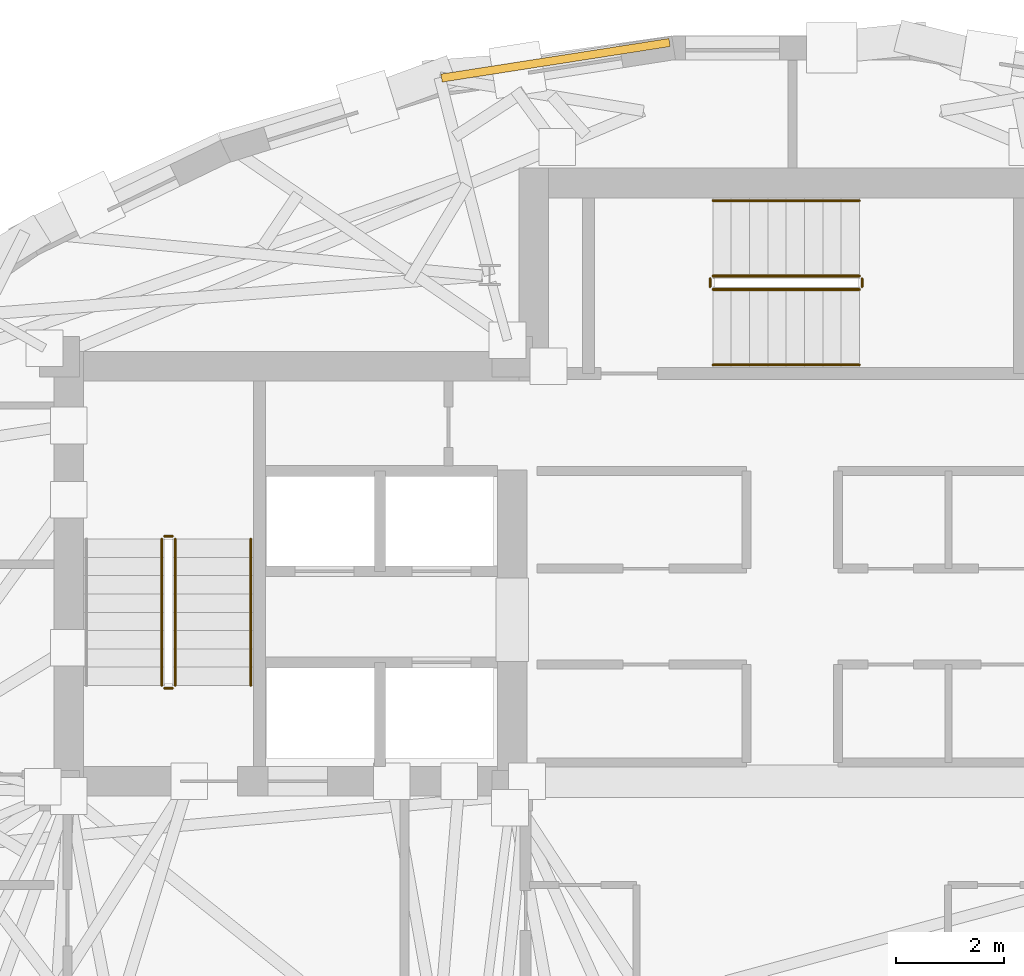
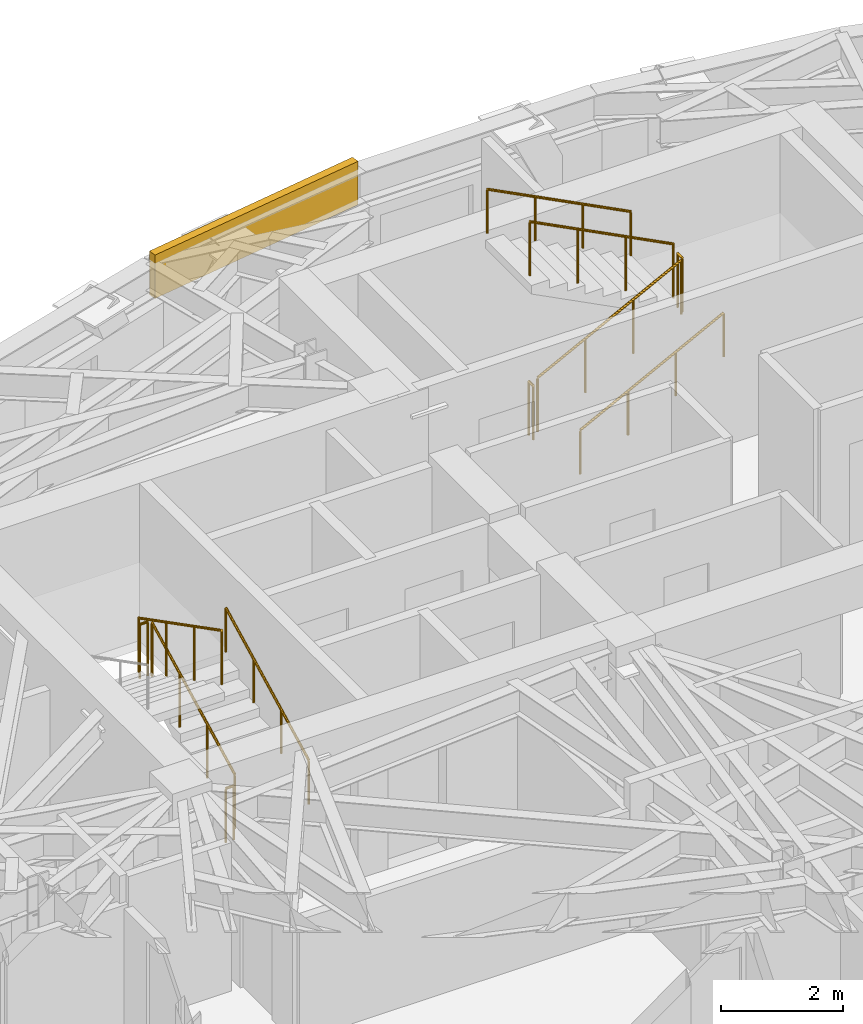
# One storey, part 13 of 14: 11 railings, 1 covering.
"""IFC4 building model written with IfcOpenShell, lengths in metres."""

import ifcopenshell
import ifcopenshell.guid

model = None  # the IFC model being written
_history = None  # IfcOwnerHistory: only IFC2X3 demands one
_inside = {}  # id of a spatial element -> (the spatial element, [elements in it])
_under = {}  # id of a project, library or spatial element -> (it, [spatial elements below it])
_declared = {}  # id of a project -> (the project, [libraries it declares])
_typed = {}  # id of a type object -> (the type object, [elements of that type])
_made_of = {}  # id of a material, layer set ... -> (it, [elements and type objects made of it])


def new_model(schema):
    """Start an empty IFC model of exactly this schema.

    Asked for "IFC4X3", IfcOpenShell would pick the latest addendum, in which some entities
    have other attributes; the version numbers below select the first issue.
    IFC2X3 requires an IfcOwnerHistory on every rooted entity: one is made here for all.
    """
    global model, _history
    if schema == "IFC4X3":
        model = ifcopenshell.file(schema_version=(4, 3, 0, 0))
    else:
        model = ifcopenshell.file(schema=schema)
    _inside.clear()
    _under.clear()
    _declared.clear()
    _typed.clear()
    _made_of.clear()
    _history = None
    if model.schema == "IFC2X3":
        org = make("IfcOrganization", Name="unknown")
        user = make(
            "IfcPersonAndOrganization",
            ThePerson=make("IfcPerson", FamilyName="unknown"),
            TheOrganization=org,
        )
        app = make(
            "IfcApplication",
            ApplicationDeveloper=org,
            Version="unknown",
            ApplicationFullName="unknown",
            ApplicationIdentifier="unknown",
        )
        _history = make(
            "IfcOwnerHistory",
            OwningUser=user,
            OwningApplication=app,
            ChangeAction="ADDED",
            CreationDate=0,
        )
    return model


def make(cls, **values):
    """One entity of the class cls with the attributes given. An attribute that is None is left unset."""
    return model.create_entity(
        cls, **{name: value for name, value in values.items() if value is not None}
    )


def rooted(cls, **values):
    """An entity with a GlobalId (a new one), such as an element, a storey or a relation."""
    return make(cls, GlobalId=ifcopenshell.guid.new(), OwnerHistory=_history, **values)


def si_unit(unit_type, name, prefix=None):
    """IfcSIUnit, for example si_unit("LENGTHUNIT", "METRE", prefix="MILLI")."""
    return make("IfcSIUnit", UnitType=unit_type, Prefix=prefix, Name=name)


def assignment(units):
    """IfcUnitAssignment: the units of a project."""
    return None if units is None else make("IfcUnitAssignment", Units=units)


def point(xyz):
    """IfcCartesianPoint."""
    return None if xyz is None else make("IfcCartesianPoint", Coordinates=xyz)


def direction(xyz):
    """IfcDirection."""
    return None if xyz is None else make("IfcDirection", DirectionRatios=xyz)


def frame(location, z_axis=None, x_axis=None):
    """IfcAxis2Placement3D, a coordinate frame: its origin and axes. An axis left out is left unset."""
    return make(
        "IfcAxis2Placement3D",
        Location=point(location),
        Axis=direction(z_axis),
        RefDirection=direction(x_axis),
    )


def frame_2d(location, x_axis=None):
    """IfcAxis2Placement2D, a coordinate frame in the plane: its origin and x axis."""
    return make(
        "IfcAxis2Placement2D", Location=point(location), RefDirection=direction(x_axis)
    )


def origin():
    """The frame at (0, 0, 0) with its axes left unset."""
    return frame((0.0, 0.0, 0.0))


def origin_2d():
    """The frame at (0, 0) in the plane with its x axis left unset."""
    return frame_2d((0.0, 0.0))


def place(relative_to, where):
    """IfcLocalPlacement: puts the frame where relative to a parent placement (None: the world)."""
    return make(
        "IfcLocalPlacement", PlacementRelTo=relative_to, RelativePlacement=where
    )


def context(
    kind, dimensions, precision=None, world=None, true_north=None, identifier=None
):
    """IfcGeometricRepresentationContext, for example the 3D "Model" context."""
    return make(
        "IfcGeometricRepresentationContext",
        ContextIdentifier=identifier,
        ContextType=kind,
        CoordinateSpaceDimension=dimensions,
        Precision=precision,
        WorldCoordinateSystem=world,
        TrueNorth=true_north,
    )


def subcontext(parent, identifier, kind, view, scale=None):
    """IfcGeometricRepresentationSubContext, for example "Body" below "Model"."""
    return make(
        "IfcGeometricRepresentationSubContext",
        ContextIdentifier=identifier,
        ContextType=kind,
        ParentContext=parent,
        TargetScale=scale,
        TargetView=view,
    )


def project(units=None, contexts=None):
    """IfcProject with its units and contexts."""
    return rooted(
        "IfcProject",
        Name="project",
        RepresentationContexts=contexts,
        UnitsInContext=assignment(units),
    )


def spatial(cls, under=None, at=None, **own):
    """A site, building, storey or space (cls), placed at a placement, below another one or the project."""
    s = rooted(cls, ObjectPlacement=at, **own)
    if under is not None:
        _under.setdefault(under.id(), (under, []))[1].append(s)
    return s


def profile(cls, at=None, kind="AREA", **sizes):
    """A parametric profile (cls). Its sizes go by their IFC names, for example OverallWidth=200.0."""
    return make(cls, ProfileType=kind, Position=at, **sizes)


def rectangle(**sizes):
    """IfcRectangleProfileDef."""
    return profile("IfcRectangleProfileDef", **sizes)


def circle(**sizes):
    """IfcCircleProfileDef."""
    return profile("IfcCircleProfileDef", **sizes)


def extrude(swept, where, along, depth):
    """IfcExtrudedAreaSolid: the profile swept, set in the frame where, extruded along a direction by depth."""
    return make(
        "IfcExtrudedAreaSolid",
        SweptArea=swept,
        Position=where,
        ExtrudedDirection=direction(along),
        Depth=depth,
    )


def shape(context_of_items, identifier, shape_type, items):
    """IfcShapeRepresentation: the items that make up one representation, for example the "Body"."""
    return make(
        "IfcShapeRepresentation",
        ContextOfItems=context_of_items,
        RepresentationIdentifier=identifier,
        RepresentationType=shape_type,
        Items=items,
    )


def material(Name=None, Category=None):
    """IfcMaterial."""
    return make("IfcMaterial", Name=Name, Category=Category)


def layer(
    of_material, thickness, ventilated=None, Name=None, Category=None, Priority=None
):
    """IfcMaterialLayer: one layer of a wall or slab, of a material (None: an air gap)."""
    return make(
        "IfcMaterialLayer",
        Material=of_material,
        LayerThickness=thickness,
        IsVentilated=ventilated,
        Name=Name,
        Category=Category,
        Priority=Priority,
    )


def layer_set(layers, Name=None):
    """IfcMaterialLayerSet."""
    return make("IfcMaterialLayerSet", MaterialLayers=layers, LayerSetName=Name)


def made_of(thing, what):
    """Note that an element or type object is made of a material, layer set ...; save() writes the relation."""
    if what is not None:
        _made_of.setdefault(what.id(), (what, []))[1].append(thing)
    return thing


def type_object(cls, material=None, **own):
    """A type object (cls), such as IfcWallType, which elements share."""
    return made_of(rooted(cls, **own), material)


def element(
    cls,
    number,
    at=None,
    inside=None,
    cuts=None,
    type_object=None,
    material=None,
    context=None,
    identifier="Body",
    shape_type=None,
    held_by="IfcProductDefinitionShape",
    body=None,
    shapes=None,
    **own,
):
    """One element of the class cls, such as IfcWall. Its Tag is "e" and its number.

    at: its placement. inside: the storey or other place that contains it. cuts: it is an
    opening in that element (IfcRelVoidsElement). A single representation is given by context,
    identifier, shape_type and body (its items); several are given by shapes. held_by: the class
    of the entity that holds the representations. save() writes the other relations.
    """
    e = rooted(cls, Tag="e%d" % number, ObjectPlacement=at, **own)
    if body is not None:
        shapes = [shape(context, identifier, shape_type, body)]
    if shapes is not None:
        e.Representation = make(held_by, Representations=shapes)
    if inside is not None:
        _inside.setdefault(inside.id(), (inside, []))[1].append(e)
    if cuts is not None:
        rooted(
            "IfcRelVoidsElement", RelatingBuildingElement=cuts, RelatedOpeningElement=e
        )
    if type_object is not None:
        _typed.setdefault(type_object.id(), (type_object, []))[1].append(e)
    return made_of(e, material)


def aggregate(whole, parts):
    """IfcRelAggregates: a whole, such as a stair, and the parts it consists of."""
    return rooted("IfcRelAggregates", RelatingObject=whole, RelatedObjects=parts)


def save(model, path):
    """Write the relations noted so far, then the file.

    IfcRelAggregates (storeys below a building ...), IfcRelContainedInSpatialStructure (elements
    in a storey), IfcRelDefinesByType, IfcRelAssociatesMaterial and IfcRelDeclares: one each for
    every whole, place, type object, material and project.
    """
    for whole, parts in _under.values():
        aggregate(whole, parts)
    for where, things in _inside.values():
        rooted(
            "IfcRelContainedInSpatialStructure",
            RelatedElements=things,
            RelatingStructure=where,
        )
    for kind, things in _typed.values():
        rooted("IfcRelDefinesByType", RelatedObjects=things, RelatingType=kind)
    for what, things in _made_of.values():
        rooted("IfcRelAssociatesMaterial", RelatedObjects=things, RelatingMaterial=what)
    for by, libraries in _declared.values():
        rooted("IfcRelDeclares", RelatingContext=by, RelatedDefinitions=libraries)
    model.write(path)


model = new_model("IFC4")

# Units and contexts
model_context = context("Model", 3, precision=1e-05, world=origin(), true_north=direction((0.0, 1.0)))
body_context = subcontext(model_context, "Body", "Model", "MODEL_VIEW")
ifc_project = project(units=[si_unit("LENGTHUNIT", "METRE"), si_unit("AREAUNIT", "SQUARE_METRE"), si_unit("VOLUMEUNIT", "CUBIC_METRE"), si_unit("PLANEANGLEUNIT", "RADIAN"), si_unit("MASSUNIT", "GRAM", prefix="KILO")], contexts=[model_context])

# Site, building, storey
site_placement = place(None, origin())
site = spatial("IfcSite", under=ifc_project, at=site_placement, CompositionType="ELEMENT")
building_placement = place(site_placement, origin())
building = spatial("IfcBuilding", under=site, at=building_placement, Name="Keldmark Tower", CompositionType="ELEMENT")
storey_placement = place(building_placement, frame((0.0, 0.0, 225.75)))
storey = spatial("IfcBuildingStorey", under=building, at=storey_placement, Name="L63", CompositionType="ELEMENT", Elevation=225.75)

# Covering
ifc_material_1 = material(Name="Honed Kasota Buff Dolomitic Limestone", Category="masonry")
ifc_layer = layer(ifc_material_1, 0.074951171875)
ifc_layer_set = layer_set([ifc_layer], Name="Honed Kasota Buff Dolomitic Limestone")
covering_type = type_object("IfcCoveringType", Name="Kasota Buff Limestone Spandrel Cladding Band", PredefinedType="CLADDING", material=ifc_layer_set)
covering_placement = place(storey_placement, frame((-4.39404296875, 14.95263671875, 2.260009765625), z_axis=(0.0, 0.0, 1.0), x_axis=(-0.988040736507, -0.15419307054, 0.0)))
element("IfcCovering", 1, at=covering_placement, inside=storey, type_object=covering_type, Name="L63 Kasota Limestone Spandrel Band 09", PredefinedType="CLADDING", context=body_context, shape_type="SweptSolid", body=[
    extrude(rectangle(XDim=4.281005859375, YDim=0.14990234375, at=origin_2d()), origin(), (0.0, 0.0, 1.0), 0.8701171875),
])

# Railings
ifc_material_2 = material(Name="Painted Steel ASTM A500 Grade B", Category="steel")
railing_type_1 = type_object("IfcRailingType", Name="Painted Steel Stair Well Guard 1100 mm", PredefinedType="GUARDRAIL", material=ifc_material_2)
railing_1_placement = place(storey_placement, frame((-11.449951171875, 3.35009765625, 0.175048828125)))
element("IfcRailing", 2, at=railing_1_placement, inside=storey, type_object=railing_type_1, Name="L63 ST1 stair guard 1", PredefinedType="GUARDRAIL", context=body_context, shape_type="SweptSolid", body=[
    extrude(circle(Radius=0.02392578125, at=origin_2d()), frame((0.0, 0.0, 1.076171875), z_axis=(0.0, 0.889146794209, 0.457622091194), x_axis=(-1.0, 0.0, 0.0)), (0.0, 0.0, 1.0), 3.05908203125),
    extrude(circle(Radius=0.02099609375, at=origin_2d()), origin(), (0.0, 0.0, 1.0), 1.052001953125),
    extrude(circle(Radius=0.02099609375, at=origin_2d()), frame((0.0, 0.90673828125, 0.466552734375)), (0.0, 0.0, 1.0), 1.052001953125),
    extrude(circle(Radius=0.02099609375, at=origin_2d()), frame((0.0, 1.813232421875, 0.933349609375)), (0.0, 0.0, 1.0), 1.052001953125),
    extrude(circle(Radius=0.02099609375, at=origin_2d()), frame((0.0, 2.719970703125, 1.39990234375)), (0.0, 0.0, 1.0), 1.052001953125),
])
railing_2_placement = place(storey_placement, frame((-11.5, 6.1201171875, 1.574951171875)))
element("IfcRailing", 3, at=railing_2_placement, inside=storey, type_object=railing_type_1, Name="L63 ST1 stair guard 2", PredefinedType="GUARDRAIL", context=body_context, shape_type="SweptSolid", body=[
    extrude(circle(Radius=0.02392578125, at=origin_2d()), frame((0.0, 0.0, 1.076171875), z_axis=(-1.0, 0.0, 0.0), x_axis=(0.0, -1.0, 0.0)), (0.0, 0.0, 1.0), 0.14990234375),
    extrude(circle(Radius=0.02099609375, at=origin_2d()), origin(), (0.0, 0.0, 1.0), 1.052001953125),
    extrude(circle(Radius=0.02099609375, at=origin_2d()), frame((-0.14990234375, 0.0, 0.0)), (0.0, 0.0, 1.0), 1.052001953125),
])
railing_3_placement = place(storey_placement, frame((-11.699951171875, 6.070068359375, 1.75)))
element("IfcRailing", 4, at=railing_3_placement, inside=storey, type_object=railing_type_1, Name="L63 ST1 stair guard 3", PredefinedType="GUARDRAIL", context=body_context, shape_type="SweptSolid", body=[
    extrude(circle(Radius=0.02392578125, at=origin_2d()), frame((0.0, 0.0, 1.076171875), z_axis=(0.0, -0.889146794209, 0.457622091194), x_axis=(1.0, 0.0, 0.0)), (0.0, 0.0, 1.0), 3.05908203125),
    extrude(circle(Radius=0.02099609375, at=origin_2d()), origin(), (0.0, 0.0, 1.0), 1.052001953125),
    extrude(circle(Radius=0.02099609375, at=origin_2d()), frame((0.0, -0.90673828125, 0.466552734375)), (0.0, 0.0, 1.0), 1.052001953125),
    extrude(circle(Radius=0.02099609375, at=origin_2d()), frame((0.0, -1.813232421875, 0.933349609375)), (0.0, 0.0, 1.0), 1.052001953125),
    extrude(circle(Radius=0.02099609375, at=origin_2d()), frame((0.0, -2.719970703125, 1.39990234375)), (0.0, 0.0, 1.0), 1.052001953125),
])
railing_4_placement = place(storey_placement, frame((-11.5, 3.300048828125, 0.0)))
element("IfcRailing", 5, at=railing_4_placement, inside=storey, type_object=railing_type_1, Name="L63 ST1 stair guard 4", PredefinedType="GUARDRAIL", context=body_context, shape_type="SweptSolid", body=[
    extrude(circle(Radius=0.02392578125, at=origin_2d()), frame((0.0, 0.0, 1.076171875), z_axis=(-1.0, 0.0, 0.0), x_axis=(0.0, -1.0, 0.0)), (0.0, 0.0, 1.0), 0.14990234375),
    extrude(circle(Radius=0.02099609375, at=origin_2d()), origin(), (0.0, 0.0, 1.0), 1.052001953125),
    extrude(circle(Radius=0.02099609375, at=origin_2d()), frame((-0.14990234375, 0.0, 0.0)), (0.0, 0.0, 1.0), 1.052001953125),
])
railing_5_placement = place(storey_placement, frame((-1.47509765625, 10.699951171875, 0.175048828125)))
element("IfcRailing", 6, at=railing_5_placement, inside=storey, type_object=railing_type_1, Name="L63 ST3 stair guard 1", PredefinedType="GUARDRAIL", context=body_context, shape_type="SweptSolid", body=[
    extrude(circle(Radius=0.02392578125, at=origin_2d()), frame((0.0, 0.0, 1.076171875), z_axis=(0.88916350577, 0.0, 0.457589619645), x_axis=(0.0, 1.0, 0.0)), (0.0, 0.0, 1.0), 3.059326171875),
    extrude(circle(Radius=0.02099609375, at=origin_2d()), origin(), (0.0, 0.0, 1.0), 1.052001953125),
    extrude(circle(Radius=0.02099609375, at=origin_2d()), frame((0.90673828125, 0.0, 0.466552734375)), (0.0, 0.0, 1.0), 1.052001953125),
    extrude(circle(Radius=0.02099609375, at=origin_2d()), frame((1.8134765625, 0.0, 0.933349609375)), (0.0, 0.0, 1.0), 1.052001953125),
    extrude(circle(Radius=0.02099609375, at=origin_2d()), frame((2.72021484375, 0.0, 1.39990234375)), (0.0, 0.0, 1.0), 1.052001953125),
])
railing_6_placement = place(storey_placement, frame((1.294921875, 10.75, 1.574951171875)))
element("IfcRailing", 7, at=railing_6_placement, inside=storey, type_object=railing_type_1, Name="L63 ST3 stair guard 2", PredefinedType="GUARDRAIL", context=body_context, shape_type="SweptSolid", body=[
    extrude(circle(Radius=0.02392578125, at=origin_2d()), frame((0.0, 0.0, 1.076171875), z_axis=(0.0, 1.0, 0.0), x_axis=(-1.0, 0.0, 0.0)), (0.0, 0.0, 1.0), 0.14990234375),
    extrude(circle(Radius=0.02099609375, at=origin_2d()), origin(), (0.0, 0.0, 1.0), 1.052001953125),
    extrude(circle(Radius=0.02099609375, at=origin_2d()), frame((0.0, 0.14990234375, 0.0)), (0.0, 0.0, 1.0), 1.052001953125),
])
railing_7_placement = place(storey_placement, frame((1.2451171875, 10.949951171875, 1.75)))
element("IfcRailing", 8, at=railing_7_placement, inside=storey, type_object=railing_type_1, Name="L63 ST3 stair guard 3", PredefinedType="GUARDRAIL", context=body_context, shape_type="SweptSolid", body=[
    extrude(circle(Radius=0.02392578125, at=origin_2d()), frame((0.0, 0.0, 1.076171875), z_axis=(-0.88916350577, 0.0, 0.457589619645), x_axis=(0.0, -1.0, 0.0)), (0.0, 0.0, 1.0), 3.059326171875),
    extrude(circle(Radius=0.02099609375, at=origin_2d()), origin(), (0.0, 0.0, 1.0), 1.052001953125),
    extrude(circle(Radius=0.02099609375, at=origin_2d()), frame((-0.90673828125, 0.0, 0.466552734375)), (0.0, 0.0, 1.0), 1.052001953125),
    extrude(circle(Radius=0.02099609375, at=origin_2d()), frame((-1.8134765625, 0.0, 0.933349609375)), (0.0, 0.0, 1.0), 1.052001953125),
    extrude(circle(Radius=0.02099609375, at=origin_2d()), frame((-2.72021484375, 0.0, 1.39990234375)), (0.0, 0.0, 1.0), 1.052001953125),
])
railing_8_placement = place(storey_placement, frame((-1.52490234375, 10.75, 0.0)))
element("IfcRailing", 9, at=railing_8_placement, inside=storey, type_object=railing_type_1, Name="L63 ST3 stair guard 4", PredefinedType="GUARDRAIL", context=body_context, shape_type="SweptSolid", body=[
    extrude(circle(Radius=0.02392578125, at=origin_2d()), frame((0.0, 0.0, 1.076171875), z_axis=(0.0, 1.0, 0.0), x_axis=(-1.0, 0.0, 0.0)), (0.0, 0.0, 1.0), 0.14990234375),
    extrude(circle(Radius=0.02099609375, at=origin_2d()), origin(), (0.0, 0.0, 1.0), 1.052001953125),
    extrude(circle(Radius=0.02099609375, at=origin_2d()), frame((0.0, 0.14990234375, 0.0)), (0.0, 0.0, 1.0), 1.052001953125),
])
ifc_material_3 = material(Name="Stainless Steel AISI 316L", Category="steel")
railing_type_2 = type_object("IfcRailingType", Name="Stainless Steel Stair Handrail 900 mm", PredefinedType="HANDRAIL", material=ifc_material_3)
railing_9_placement = place(storey_placement, frame((-10.050048828125, 3.35009765625, 0.175048828125)))
element("IfcRailing", 10, at=railing_9_placement, inside=storey, type_object=railing_type_2, Name="L63 ST1 stair handrail 1", PredefinedType="HANDRAIL", context=body_context, shape_type="SweptSolid", body=[
    extrude(circle(Radius=0.02392578125, at=origin_2d()), frame((0.0, 0.0, 0.8759765625), z_axis=(0.0, 0.889146794209, 0.457622091194), x_axis=(-1.0, 0.0, 0.0)), (0.0, 0.0, 1.0), 3.05908203125),
    extrude(circle(Radius=0.02099609375, at=origin_2d()), origin(), (0.0, 0.0, 1.0), 0.851806640625),
    extrude(circle(Radius=0.02099609375, at=origin_2d()), frame((0.0, 0.90673828125, 0.466552734375)), (0.0, 0.0, 1.0), 0.851806640625),
    extrude(circle(Radius=0.02099609375, at=origin_2d()), frame((0.0, 1.813232421875, 0.933349609375)), (0.0, 0.0, 1.0), 0.851806640625),
    extrude(circle(Radius=0.02099609375, at=origin_2d()), frame((0.0, 2.719970703125, 1.39990234375)), (0.0, 0.0, 1.0), 0.851806640625),
])
railing_10_placement = place(storey_placement, frame((-1.47509765625, 9.300048828125, 0.175048828125)))
element("IfcRailing", 11, at=railing_10_placement, inside=storey, type_object=railing_type_2, Name="L63 ST3 stair handrail 1", PredefinedType="HANDRAIL", context=body_context, shape_type="SweptSolid", body=[
    extrude(circle(Radius=0.02392578125, at=origin_2d()), frame((0.0, 0.0, 0.8759765625), z_axis=(0.88916350577, 0.0, 0.457589619645), x_axis=(0.0, 1.0, 0.0)), (0.0, 0.0, 1.0), 3.059326171875),
    extrude(circle(Radius=0.02099609375, at=origin_2d()), origin(), (0.0, 0.0, 1.0), 0.851806640625),
    extrude(circle(Radius=0.02099609375, at=origin_2d()), frame((0.90673828125, 0.0, 0.466552734375)), (0.0, 0.0, 1.0), 0.851806640625),
    extrude(circle(Radius=0.02099609375, at=origin_2d()), frame((1.8134765625, 0.0, 0.933349609375)), (0.0, 0.0, 1.0), 0.851806640625),
    extrude(circle(Radius=0.02099609375, at=origin_2d()), frame((2.72021484375, 0.0, 1.39990234375)), (0.0, 0.0, 1.0), 0.851806640625),
])
railing_11_placement = place(storey_placement, frame((1.2451171875, 12.35009765625, 1.75)))
element("IfcRailing", 12, at=railing_11_placement, inside=storey, type_object=railing_type_2, Name="L63 ST3 stair handrail 2", PredefinedType="HANDRAIL", context=body_context, shape_type="SweptSolid", body=[
    extrude(circle(Radius=0.02392578125, at=origin_2d()), frame((0.0, 0.0, 0.8759765625), z_axis=(-0.88916350577, 0.0, 0.457589619645), x_axis=(0.0, -1.0, 0.0)), (0.0, 0.0, 1.0), 3.059326171875),
    extrude(circle(Radius=0.02099609375, at=origin_2d()), origin(), (0.0, 0.0, 1.0), 0.851806640625),
    extrude(circle(Radius=0.02099609375, at=origin_2d()), frame((-0.90673828125, 0.0, 0.466552734375)), (0.0, 0.0, 1.0), 0.851806640625),
    extrude(circle(Radius=0.02099609375, at=origin_2d()), frame((-1.8134765625, 0.0, 0.933349609375)), (0.0, 0.0, 1.0), 0.851806640625),
    extrude(circle(Radius=0.02099609375, at=origin_2d()), frame((-2.72021484375, 0.0, 1.39990234375)), (0.0, 0.0, 1.0), 0.851806640625),
])

save(model, "model.ifc")
